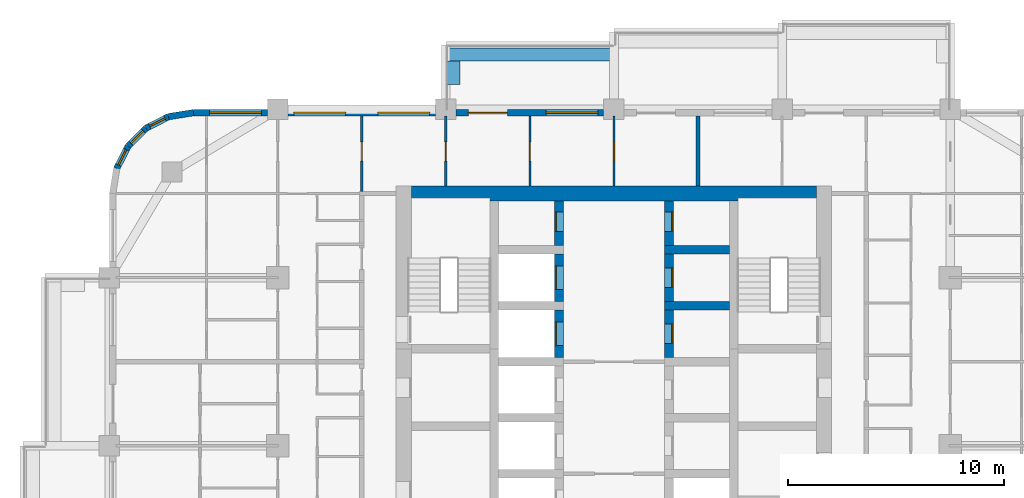
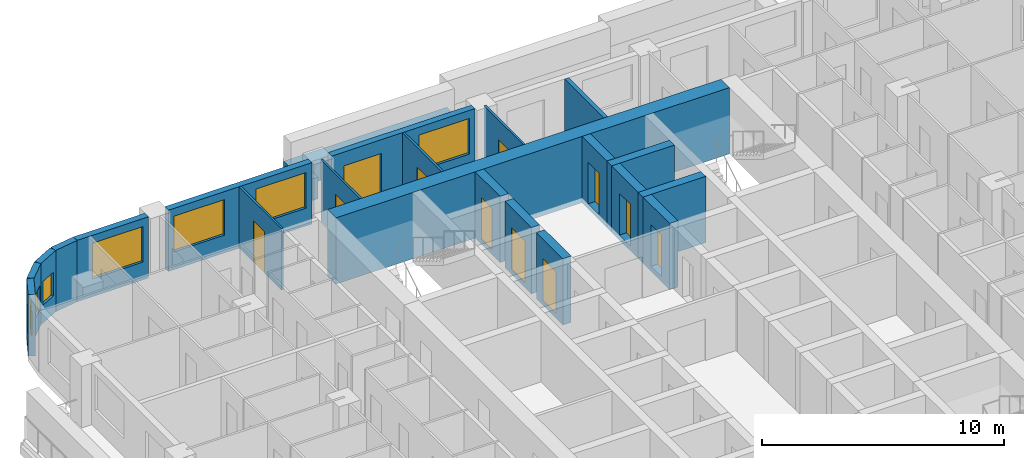
# One storey, part 11 of 17: 23 walls, 11 doors, 7 windows, 18 openings.
"""IFC4 building model written with IfcOpenShell, lengths in metres."""

from ifc_helpers import new_model, si_unit, direction, frame, frame_2d, origin, place, context, subcontext, project, spatial, rectangle, extrude, material, layer, layer_set, type_object, element, fill, save


model = new_model("IFC4")

# Units and contexts
model_context = context("Model", 3, precision=1e-05, world=origin(), true_north=direction((0.0, 1.0)))
body_context = subcontext(model_context, "Body", "Model", "MODEL_VIEW")
ifc_project = project(units=[si_unit("LENGTHUNIT", "METRE"), si_unit("AREAUNIT", "SQUARE_METRE"), si_unit("VOLUMEUNIT", "CUBIC_METRE"), si_unit("PLANEANGLEUNIT", "RADIAN"), si_unit("MASSUNIT", "GRAM", prefix="KILO")], contexts=[model_context])

# Site, building, storey
site_placement = place(None, origin())
site = spatial("IfcSite", under=ifc_project, at=site_placement, CompositionType="ELEMENT")
building_placement = place(site_placement, origin())
building = spatial("IfcBuilding", under=site, at=building_placement, Name="Ludao Terraces", CompositionType="ELEMENT")
storey_placement = place(building_placement, frame((0.0, 0.0, 92.0)))
storey = spatial("IfcBuildingStorey", under=building, at=storey_placement, Name="L25", CompositionType="ELEMENT", Elevation=92.0)

# Walls
ifc_material_1 = material(Name="Concrete C70", Category="concrete")
ifc_layer_1 = layer(ifc_material_1, 0.699951171875)
ifc_layer_set_1 = layer_set([ifc_layer_1], Name="Core wall 700 C70")
wall_type_1 = type_object("IfcWallType", Name="Core wall 700 C70", PredefinedType="SOLIDWALL", material=ifc_layer_set_1)
wall_1_placement = place(storey_placement, frame((75.60009765625, 84.5, -0.25), z_axis=(0.0, 0.0, 1.0), x_axis=(1.0, 0.0, 0.0)))
element("IfcWall", 1, at=wall_1_placement, inside=storey, type_object=wall_type_1, Name="Core wall L25 outer-N", PredefinedType="SOLIDWALL", context=body_context, shape_type="SweptSolid", body=[
    extrude(rectangle(XDim=18.7998046875, YDim=0.699951171875, at=frame_2d((9.39990234375, 0.0))), origin(), (0.0, 0.0, 1.0), 3.35009765625),
])
ifc_material_2 = material(Name="Concrete C40", Category="concrete")
ifc_layer_2 = layer(ifc_material_2, 0.60009765625)
ifc_layer_set_2 = layer_set([ifc_layer_2], Name="ENV Planter trough 600")
wall_type_2 = type_object("IfcWallType", Name="ENV Planter trough 600", PredefinedType="USERDEFINED", material=ifc_layer_set_2)
wall_2_placement = place(storey_placement, frame((77.199951171875, 90.949951171875, 0.0), z_axis=(0.0, 0.0, 1.0), x_axis=(1.0, 0.0, 0.0)))
element("IfcWall", 2, at=wall_2_placement, inside=storey, type_object=wall_type_2, Name="PL-L25-N2", ObjectType="PLANTER", PredefinedType="USERDEFINED", context=body_context, shape_type="SweptSolid", body=[
    extrude(rectangle(XDim=7.800048828125, YDim=0.60009765625, at=frame_2d((3.89990234375, 0.0))), origin(), (0.0, 0.0, 1.0), 1.10009765625),
])
wall_3_placement = place(storey_placement, frame((77.550048828125, 90.64990234375, 0.0), z_axis=(0.0, 0.0, 1.0), x_axis=(0.0, -1.0, 0.0)))
element("IfcWall", 3, at=wall_3_placement, inside=storey, type_object=wall_type_2, Name="PL-L25-N2-SA", ObjectType="PLANTER", PredefinedType="USERDEFINED", context=body_context, shape_type="SweptSolid", body=[
    extrude(rectangle(XDim=1.099853515625, YDim=0.60009765625, at=frame_2d((0.5498046875, 0.0))), origin(), (0.0, 0.0, 1.0), 1.10009765625),
])

# Wall, opening, window
ifc_material_3 = material(Name="Granite cladding", Category="masonry")
ifc_layer_3 = layer(ifc_material_3, 0.0400390625, Category="stone")
ifc_material_4 = material(Name="Mineral wool")
ifc_layer_4 = layer(ifc_material_4, 0.06005859375)
ifc_layer_5 = layer(ifc_material_2, 0.199951171875, Category="concrete")
ifc_layer_set_3 = layer_set([ifc_layer_3, ifc_layer_4, ifc_layer_5], Name="ENV Stone-clad wall 300")
wall_type_3 = type_object("IfcWallType", Name="ENV Stone-clad wall 300", PredefinedType="SOLIDWALL", material=ifc_layer_set_3)
wall_4_placement = place(storey_placement, frame((65.5, 88.25, 0.0), z_axis=(0.0, 0.0, 1.0), x_axis=(1.0, 0.0, 0.0)))
wall_4 = element("IfcWall", 4, at=wall_4_placement, inside=storey, type_object=wall_type_3, Name="EW-L25-N1", PredefinedType="SOLIDWALL", context=body_context, shape_type="SweptSolid", body=[
    extrude(rectangle(XDim=3.425048828125, YDim=0.300048828125, at=frame_2d((1.71240234375, 0.0))), origin(), (0.0, 0.0, 1.0), 3.10009765625),
])
opening_1_placement = place(wall_4_placement, frame((0.75, 0.0, 0.89990234375)))
opening_1 = element("IfcOpeningElement", 5, at=opening_1_placement, cuts=wall_4, Name="Opening W1", PredefinedType="OPENING", context=body_context, shape_type="SweptSolid", body=[
    extrude(rectangle(XDim=2.39990234375, YDim=1.800048828125, at=frame_2d((1.199951171875, 0.89990234375))), frame((0.0, 0.16015625, 0.0), z_axis=(0.0, -1.0, 0.0), x_axis=(1.0, 0.0, 0.0)), (0.0, 0.0, 1.0), 0.320068359375),
])
ifc_material_5 = material(Name="Clear glass in aluminium frame", Category="aluminium")
ifc_layer_6 = layer(ifc_material_5, 0.06005859375)
ifc_layer_set_4 = layer_set([ifc_layer_6], Name="ENV Window W1 2400x1800")
window_type_1 = type_object("IfcWindowType", Name="ENV Window W1 2400x1800", PartitioningType="DOUBLE_PANEL_VERTICAL", PredefinedType="WINDOW", material=ifc_layer_set_4)
window_1_placement = place(opening_1_placement, origin())
window_1 = element("IfcWindow", 6, at=window_1_placement, inside=storey, type_object=window_type_1, Name="W-L25-N1-1", OverallHeight=1.800048828125, OverallWidth=2.39990234375, PartitioningType="DOUBLE_PANEL_VERTICAL", PredefinedType="WINDOW", context=body_context, shape_type="SweptSolid", body=[
    extrude(rectangle(XDim=2.39990234375, YDim=1.800048828125, at=frame_2d((1.199951171875, 0.89990234375))), frame((0.0, 0.030029296875, 0.0), z_axis=(0.0, -1.0, 0.0), x_axis=(1.0, 0.0, 0.0)), (0.0, 0.0, 1.0), 0.06005859375),
])
fill(opening_1, window_1)

# Wall, openings, windows
wall_5_placement = place(storey_placement, frame((69.875, 88.25, 0.0), z_axis=(0.0, 0.0, 1.0), x_axis=(1.0, 0.0, 0.0)))
wall_5 = element("IfcWall", 7, at=wall_5_placement, inside=storey, type_object=wall_type_3, Name="EW-L25-N2", PredefinedType="SOLIDWALL", context=body_context, shape_type="SweptSolid", body=[
    extrude(rectangle(XDim=6.85009765625, YDim=0.300048828125, at=frame_2d((3.425048828125, 0.0))), origin(), (0.0, 0.0, 1.0), 3.10009765625),
])
opening_2_placement = place(wall_5_placement, frame((0.27490234375, 0.0, 0.89990234375)))
opening_2 = element("IfcOpeningElement", 8, at=opening_2_placement, cuts=wall_5, Name="Opening W1", PredefinedType="OPENING", context=body_context, shape_type="SweptSolid", body=[
    extrude(rectangle(XDim=2.39990234375, YDim=1.800048828125, at=frame_2d((1.199951171875, 0.89990234375))), frame((0.0, 0.16015625, 0.0), z_axis=(0.0, -1.0, 0.0), x_axis=(1.0, 0.0, 0.0)), (0.0, 0.0, 1.0), 0.320068359375),
])
opening_3_placement = place(wall_5_placement, frame((4.175048828125, 0.0, 0.89990234375)))
opening_3 = element("IfcOpeningElement", 9, at=opening_3_placement, cuts=wall_5, Name="Opening W1", PredefinedType="OPENING", context=body_context, shape_type="SweptSolid", body=[
    extrude(rectangle(XDim=2.39990234375, YDim=1.800048828125, at=frame_2d((1.199951171875, 0.89990234375))), frame((0.0, 0.16015625, 0.0), z_axis=(0.0, -1.0, 0.0), x_axis=(1.0, 0.0, 0.0)), (0.0, 0.0, 1.0), 0.320068359375),
])
window_2_placement = place(opening_2_placement, origin())
window_2 = element("IfcWindow", 10, at=window_2_placement, inside=storey, type_object=window_type_1, Name="W-L25-N2-1", OverallHeight=1.800048828125, OverallWidth=2.39990234375, PartitioningType="DOUBLE_PANEL_VERTICAL", PredefinedType="WINDOW", context=body_context, shape_type="SweptSolid", body=[
    extrude(rectangle(XDim=2.39990234375, YDim=1.800048828125, at=frame_2d((1.199951171875, 0.89990234375))), frame((0.0, 0.030029296875, 0.0), z_axis=(0.0, -1.0, 0.0), x_axis=(1.0, 0.0, 0.0)), (0.0, 0.0, 1.0), 0.06005859375),
])
fill(opening_2, window_2)
window_3_placement = place(opening_3_placement, origin())
window_3 = element("IfcWindow", 11, at=window_3_placement, inside=storey, type_object=window_type_1, Name="W-L25-N2-2", OverallHeight=1.800048828125, OverallWidth=2.39990234375, PartitioningType="DOUBLE_PANEL_VERTICAL", PredefinedType="WINDOW", context=body_context, shape_type="SweptSolid", body=[
    extrude(rectangle(XDim=2.39990234375, YDim=1.800048828125, at=frame_2d((1.199951171875, 0.89990234375))), frame((0.0, 0.030029296875, 0.0), z_axis=(0.0, -1.0, 0.0), x_axis=(1.0, 0.0, 0.0)), (0.0, 0.0, 1.0), 0.06005859375),
])
fill(opening_3, window_3)

# Wall, openings, door, window
wall_6_placement = place(storey_placement, frame((77.675048828125, 88.25, 0.0), z_axis=(0.0, 0.0, 1.0), x_axis=(1.0, 0.0, 0.0)))
wall_6 = element("IfcWall", 12, at=wall_6_placement, inside=storey, type_object=wall_type_3, Name="EW-L25-N3", PredefinedType="SOLIDWALL", context=body_context, shape_type="SweptSolid", body=[
    extrude(rectangle(XDim=6.849853515625, YDim=0.300048828125, at=frame_2d((3.4248046875, 0.0))), origin(), (0.0, 0.0, 1.0), 3.10009765625),
])
opening_4_placement = place(wall_6_placement, frame((0.574951171875, 0.0, 0.0)))
opening_4 = element("IfcOpeningElement", 13, at=opening_4_placement, cuts=wall_6, Name="Opening BD", PredefinedType="OPENING", context=body_context, shape_type="SweptSolid", body=[
    extrude(rectangle(XDim=1.800048828125, YDim=2.39990234375, at=frame_2d((0.89990234375, 1.199951171875))), frame((0.0, 0.16015625, 0.0), z_axis=(0.0, -1.0, 0.0), x_axis=(1.0, 0.0, 0.0)), (0.0, 0.0, 1.0), 0.320068359375),
])
opening_5_placement = place(wall_6_placement, frame((4.175048828125, 0.0, 0.89990234375)))
opening_5 = element("IfcOpeningElement", 14, at=opening_5_placement, cuts=wall_6, Name="Opening W1", PredefinedType="OPENING", context=body_context, shape_type="SweptSolid", body=[
    extrude(rectangle(XDim=2.39990234375, YDim=1.800048828125, at=frame_2d((1.199951171875, 0.89990234375))), frame((0.0, 0.16015625, 0.0), z_axis=(0.0, -1.0, 0.0), x_axis=(1.0, 0.0, 0.0)), (0.0, 0.0, 1.0), 0.320068359375),
])
ifc_material_6 = material(Name="Aluminium glazed door", Category="aluminium")
ifc_layer_7 = layer(ifc_material_6, 0.06005859375)
ifc_layer_set_5 = layer_set([ifc_layer_7], Name="ENV Balcony door BD 1800x2400")
door_type_1 = type_object("IfcDoorType", Name="ENV Balcony door BD 1800x2400", OperationType="DOUBLE_DOOR_SINGLE_SWING", PredefinedType="DOOR", material=ifc_layer_set_5)
door_1_placement = place(opening_4_placement, origin())
door_1 = element("IfcDoor", 15, at=door_1_placement, inside=storey, type_object=door_type_1, Name="BD-L25-N3-1", OperationType="DOUBLE_DOOR_SINGLE_SWING", OverallHeight=2.39990234375, OverallWidth=1.800048828125, PredefinedType="DOOR", context=body_context, shape_type="SweptSolid", body=[
    extrude(rectangle(XDim=1.800048828125, YDim=2.39990234375, at=frame_2d((0.89990234375, 1.199951171875))), frame((0.0, 0.02490234375, 0.0), z_axis=(0.0, -1.0, 0.0), x_axis=(1.0, 0.0, 0.0)), (0.0, 0.0, 1.0), 0.050048828125),
])
fill(opening_4, door_1)
window_4_placement = place(opening_5_placement, origin())
window_4 = element("IfcWindow", 16, at=window_4_placement, inside=storey, type_object=window_type_1, Name="W-L25-N3-2", OverallHeight=1.800048828125, OverallWidth=2.39990234375, PartitioningType="DOUBLE_PANEL_VERTICAL", PredefinedType="WINDOW", context=body_context, shape_type="SweptSolid", body=[
    extrude(rectangle(XDim=2.39990234375, YDim=1.800048828125, at=frame_2d((1.199951171875, 0.89990234375))), frame((0.0, 0.030029296875, 0.0), z_axis=(0.0, -1.0, 0.0), x_axis=(1.0, 0.0, 0.0)), (0.0, 0.0, 1.0), 0.06005859375),
])
fill(opening_5, window_4)

# Wall
wall_7_placement = place(storey_placement, frame((65.5, 88.25, 0.0), z_axis=(0.0, 0.0, 1.0), x_axis=(-0.987678452879, -0.156496880861, 0.0)))
element("IfcWall", 17, at=wall_7_placement, inside=storey, type_object=wall_type_3, Name="EW-L25-NW1", PredefinedType="SOLIDWALL", context=body_context, shape_type="SweptSolid", body=[
    extrude(rectangle(XDim=1.173095703125, YDim=0.300048828125, at=frame_2d((0.58642578125, 0.0))), origin(), (0.0, 0.0, 1.0), 3.10009765625),
])

# Wall, opening, window
wall_8_placement = place(storey_placement, frame((64.34130859375, 88.06640625, 0.0), z_axis=(0.0, 0.0, 1.0), x_axis=(-0.890988677504, -0.454025524128, 0.0)))
wall_8 = element("IfcWall", 18, at=wall_8_placement, inside=storey, type_object=wall_type_3, Name="EW-L25-NW2", PredefinedType="SOLIDWALL", context=body_context, shape_type="SweptSolid", body=[
    extrude(rectangle(XDim=1.17333984375, YDim=0.300048828125, at=frame_2d((0.586669921875, 0.0))), origin(), (0.0, 0.0, 1.0), 3.10009765625),
])
opening_6_placement = place(wall_8_placement, frame((0.1865234375, 0.0, 0.89990234375)))
opening_6 = element("IfcOpeningElement", 19, at=opening_6_placement, cuts=wall_8, Name="Opening W3", PredefinedType="OPENING", context=body_context, shape_type="SweptSolid", body=[
    extrude(rectangle(XDim=0.800048828125, YDim=1.199951171875, at=frame_2d((0.39990234375, 0.60009765625))), frame((0.0, 0.16015625, 0.0), z_axis=(0.0, -1.0, 0.0), x_axis=(1.0, 0.0, 0.0)), (0.0, 0.0, 1.0), 0.320068359375),
])
ifc_layer_8 = layer(ifc_material_5, 0.06005859375)
ifc_layer_set_6 = layer_set([ifc_layer_8], Name="ENV Window W3 800x1200")
window_type_2 = type_object("IfcWindowType", Name="ENV Window W3 800x1200", PartitioningType="SINGLE_PANEL", PredefinedType="WINDOW", material=ifc_layer_set_6)
window_5_placement = place(opening_6_placement, origin())
window_5 = element("IfcWindow", 20, at=window_5_placement, inside=storey, type_object=window_type_2, Name="W-L25-NW2", OverallHeight=1.199951171875, OverallWidth=0.800048828125, PartitioningType="SINGLE_PANEL", PredefinedType="WINDOW", context=body_context, shape_type="SweptSolid", body=[
    extrude(rectangle(XDim=0.800048828125, YDim=1.199951171875, at=frame_2d((0.39990234375, 0.60009765625))), frame((0.0, 0.030029296875, 0.0), z_axis=(0.0, -1.0, 0.0), x_axis=(1.0, 0.0, 0.0)), (0.0, 0.0, 1.0), 0.06005859375),
])
fill(opening_6, window_5)

wall_9_placement = place(storey_placement, frame((63.2958984375, 87.53369140625, 0.0), z_axis=(0.0, 0.0, 1.0), x_axis=(-0.707106781187, -0.707106781187, 0.0)))
wall_9 = element("IfcWall", 21, at=wall_9_placement, inside=storey, type_object=wall_type_3, Name="EW-L25-NW3", PredefinedType="SOLIDWALL", context=body_context, shape_type="SweptSolid", body=[
    extrude(rectangle(XDim=1.173095703125, YDim=0.300048828125, at=frame_2d((0.58642578125, 0.0))), origin(), (0.0, 0.0, 1.0), 3.10009765625),
])
opening_7_placement = place(wall_9_placement, frame((0.1865234375, 0.0, 0.89990234375)))
opening_7 = element("IfcOpeningElement", 22, at=opening_7_placement, cuts=wall_9, Name="Opening W3", PredefinedType="OPENING", context=body_context, shape_type="SweptSolid", body=[
    extrude(rectangle(XDim=0.800048828125, YDim=1.199951171875, at=frame_2d((0.39990234375, 0.60009765625))), frame((0.0, 0.16015625, 0.0), z_axis=(0.0, -1.0, 0.0), x_axis=(1.0, 0.0, 0.0)), (0.0, 0.0, 1.0), 0.320068359375),
])
window_6_placement = place(opening_7_placement, origin())
window_6 = element("IfcWindow", 23, at=window_6_placement, inside=storey, type_object=window_type_2, Name="W-L25-NW3", OverallHeight=1.199951171875, OverallWidth=0.800048828125, PartitioningType="SINGLE_PANEL", PredefinedType="WINDOW", context=body_context, shape_type="SweptSolid", body=[
    extrude(rectangle(XDim=0.800048828125, YDim=1.199951171875, at=frame_2d((0.39990234375, 0.60009765625))), frame((0.0, 0.030029296875, 0.0), z_axis=(0.0, -1.0, 0.0), x_axis=(1.0, 0.0, 0.0)), (0.0, 0.0, 1.0), 0.06005859375),
])
fill(opening_7, window_6)

wall_10_placement = place(storey_placement, frame((62.46630859375, 86.7041015625, 0.0), z_axis=(0.0, 0.0, 1.0), x_axis=(-0.454025524128, -0.890988677504, 0.0)))
wall_10 = element("IfcWall", 24, at=wall_10_placement, inside=storey, type_object=wall_type_3, Name="EW-L25-NW4", PredefinedType="SOLIDWALL", context=body_context, shape_type="SweptSolid", body=[
    extrude(rectangle(XDim=1.17333984375, YDim=0.300048828125, at=frame_2d((0.586669921875, 0.0))), origin(), (0.0, 0.0, 1.0), 3.10009765625),
])
opening_8_placement = place(wall_10_placement, frame((0.1865234375, 0.0, 0.89990234375)))
opening_8 = element("IfcOpeningElement", 25, at=opening_8_placement, cuts=wall_10, Name="Opening W3", PredefinedType="OPENING", context=body_context, shape_type="SweptSolid", body=[
    extrude(rectangle(XDim=0.800048828125, YDim=1.199951171875, at=frame_2d((0.39990234375, 0.60009765625))), frame((0.0, 0.16015625, 0.0), z_axis=(0.0, -1.0, 0.0), x_axis=(1.0, 0.0, 0.0)), (0.0, 0.0, 1.0), 0.320068359375),
])
window_7_placement = place(opening_8_placement, origin())
window_7 = element("IfcWindow", 26, at=window_7_placement, inside=storey, type_object=window_type_2, Name="W-L25-NW4", OverallHeight=1.199951171875, OverallWidth=0.800048828125, PartitioningType="SINGLE_PANEL", PredefinedType="WINDOW", context=body_context, shape_type="SweptSolid", body=[
    extrude(rectangle(XDim=0.800048828125, YDim=1.199951171875, at=frame_2d((0.39990234375, 0.60009765625))), frame((0.0, 0.030029296875, 0.0), z_axis=(0.0, -1.0, 0.0), x_axis=(1.0, 0.0, 0.0)), (0.0, 0.0, 1.0), 0.06005859375),
])
fill(opening_8, window_7)

# Wall, opening, door
ifc_material_7 = material(Name="Gypsum plasterboard", Category="gypsum")
ifc_layer_9 = layer(ifc_material_7, 0.012451171875, Category="gypsum")
ifc_layer_10 = layer(ifc_material_4, 0.06005859375, Name="insulation")
ifc_material_8 = material(Name="Steel Q235", Category="steel")
ifc_layer_11 = layer(ifc_material_8, 0.014892578125, Name="stud")
ifc_layer_12 = layer(ifc_material_7, 0.012451171875, Category="gypsum")
ifc_layer_set_7 = layer_set([ifc_layer_9, ifc_layer_10, ifc_layer_11, ifc_layer_12], Name="INT Partition 100")
wall_type_4 = type_object("IfcWallType", Name="INT Partition 100", PredefinedType="PARTITIONING", material=ifc_layer_set_7)
wall_11_placement = place(storey_placement, frame((73.300048828125, 84.60009765625, 0.0), z_axis=(0.0, 0.0, 1.0), x_axis=(0.0, 1.0, 0.0)))
wall_11 = element("IfcWall", 27, at=wall_11_placement, inside=storey, type_object=wall_type_4, Name="PW-L25-PW089", PredefinedType="PARTITIONING", context=body_context, shape_type="SweptSolid", body=[
    extrude(rectangle(XDim=3.5, YDim=0.10009765625, at=frame_2d((1.75, 0.0))), origin(), (0.0, 0.0, 1.0), 3.10009765625),
])
opening_9_placement = place(wall_11_placement, frame((1.39990234375, 0.0, 0.0)))
opening_9 = element("IfcOpeningElement", 28, at=opening_9_placement, cuts=wall_11, Name="Opening R07-157", PredefinedType="OPENING", context=body_context, shape_type="SweptSolid", body=[
    extrude(rectangle(XDim=0.89990234375, YDim=2.10009765625, at=frame_2d((0.449951171875, 1.050048828125))), frame((0.0, 0.06005859375, 0.0), z_axis=(0.0, -1.0, 0.0), x_axis=(1.0, 0.0, 0.0)), (0.0, 0.0, 1.0), 0.1201171875),
])
ifc_material_9 = material(Name="Timber door leaf", Category="wood")
door_type_2 = type_object("IfcDoorType", Name="INT Room door 900", OperationType="SINGLE_SWING_LEFT", PredefinedType="DOOR", material=ifc_material_9)
door_2_placement = place(opening_9_placement, origin())
door_2 = element("IfcDoor", 29, at=door_2_placement, inside=storey, type_object=door_type_2, Name="DOOR 157", OperationType="SINGLE_SWING_LEFT", OverallHeight=2.10009765625, OverallWidth=0.89990234375, PredefinedType="DOOR", context=body_context, shape_type="SweptSolid", body=[
    extrude(rectangle(XDim=0.89990234375, YDim=2.10009765625, at=frame_2d((0.449951171875, 1.050048828125))), frame((0.0, 0.02490234375, 0.0), z_axis=(0.0, -1.0, 0.0), x_axis=(1.0, 0.0, 0.0)), (0.0, 0.0, 1.0), 0.050048828125),
])
fill(opening_9, door_2)

wall_12_placement = place(storey_placement, frame((77.199951171875, 84.85009765625, 0.0), z_axis=(0.0, 0.0, 1.0), x_axis=(0.0, 1.0, 0.0)))
wall_12 = element("IfcWall", 30, at=wall_12_placement, inside=storey, type_object=wall_type_4, Name="PW-L25-PW092", PredefinedType="PARTITIONING", context=body_context, shape_type="SweptSolid", body=[
    extrude(rectangle(XDim=3.25, YDim=0.10009765625, at=frame_2d((1.625, 0.0))), origin(), (0.0, 0.0, 1.0), 3.10009765625),
])
opening_10_placement = place(wall_12_placement, frame((1.14990234375, 0.0, 0.0)))
opening_10 = element("IfcOpeningElement", 31, at=opening_10_placement, cuts=wall_12, Name="Opening R07-158", PredefinedType="OPENING", context=body_context, shape_type="SweptSolid", body=[
    extrude(rectangle(XDim=0.89990234375, YDim=2.10009765625, at=frame_2d((0.449951171875, 1.050048828125))), frame((0.0, 0.06005859375, 0.0), z_axis=(0.0, -1.0, 0.0), x_axis=(1.0, 0.0, 0.0)), (0.0, 0.0, 1.0), 0.1201171875),
])
door_3_placement = place(opening_10_placement, origin())
door_3 = element("IfcDoor", 32, at=door_3_placement, inside=storey, type_object=door_type_2, Name="DOOR 158", OperationType="SINGLE_SWING_RIGHT", OverallHeight=2.10009765625, OverallWidth=0.89990234375, PredefinedType="DOOR", context=body_context, shape_type="SweptSolid", body=[
    extrude(rectangle(XDim=0.89990234375, YDim=2.10009765625, at=frame_2d((0.449951171875, 1.050048828125))), frame((0.0, 0.02490234375, 0.0), z_axis=(0.0, -1.0, 0.0), x_axis=(1.0, 0.0, 0.0)), (0.0, 0.0, 1.0), 0.050048828125),
])
fill(opening_10, door_3)

wall_13_placement = place(storey_placement, frame((81.10009765625, 84.85009765625, 0.0), z_axis=(0.0, 0.0, 1.0), x_axis=(0.0, 1.0, 0.0)))
wall_13 = element("IfcWall", 33, at=wall_13_placement, inside=storey, type_object=wall_type_4, Name="PW-L25-PW098", PredefinedType="PARTITIONING", context=body_context, shape_type="SweptSolid", body=[
    extrude(rectangle(XDim=3.25, YDim=0.10009765625, at=frame_2d((1.625, 0.0))), origin(), (0.0, 0.0, 1.0), 3.10009765625),
])
opening_11_placement = place(wall_13_placement, frame((1.14990234375, 0.0, 0.0)))
opening_11 = element("IfcOpeningElement", 34, at=opening_11_placement, cuts=wall_13, Name="Opening R07-159", PredefinedType="OPENING", context=body_context, shape_type="SweptSolid", body=[
    extrude(rectangle(XDim=0.89990234375, YDim=2.10009765625, at=frame_2d((0.449951171875, 1.050048828125))), frame((0.0, 0.06005859375, 0.0), z_axis=(0.0, -1.0, 0.0), x_axis=(1.0, 0.0, 0.0)), (0.0, 0.0, 1.0), 0.1201171875),
])
door_4_placement = place(opening_11_placement, origin())
door_4 = element("IfcDoor", 35, at=door_4_placement, inside=storey, type_object=door_type_2, Name="DOOR 159", OperationType="SINGLE_SWING_LEFT", OverallHeight=2.10009765625, OverallWidth=0.89990234375, PredefinedType="DOOR", context=body_context, shape_type="SweptSolid", body=[
    extrude(rectangle(XDim=0.89990234375, YDim=2.10009765625, at=frame_2d((0.449951171875, 1.050048828125))), frame((0.0, 0.02490234375, 0.0), z_axis=(0.0, -1.0, 0.0), x_axis=(1.0, 0.0, 0.0)), (0.0, 0.0, 1.0), 0.050048828125),
])
fill(opening_11, door_4)

wall_14_placement = place(storey_placement, frame((85.0, 84.85009765625, 0.0), z_axis=(0.0, 0.0, 1.0), x_axis=(0.0, 1.0, 0.0)))
wall_14 = element("IfcWall", 36, at=wall_14_placement, inside=storey, type_object=wall_type_4, Name="PW-L25-PW102", PredefinedType="PARTITIONING", context=body_context, shape_type="SweptSolid", body=[
    extrude(rectangle(XDim=3.25, YDim=0.10009765625, at=frame_2d((1.625, 0.0))), origin(), (0.0, 0.0, 1.0), 3.10009765625),
])
opening_12_placement = place(wall_14_placement, frame((1.14990234375, 0.0, 0.0)))
opening_12 = element("IfcOpeningElement", 37, at=opening_12_placement, cuts=wall_14, Name="Opening R07-160", PredefinedType="OPENING", context=body_context, shape_type="SweptSolid", body=[
    extrude(rectangle(XDim=0.89990234375, YDim=2.10009765625, at=frame_2d((0.449951171875, 1.050048828125))), frame((0.0, 0.06005859375, 0.0), z_axis=(0.0, -1.0, 0.0), x_axis=(1.0, 0.0, 0.0)), (0.0, 0.0, 1.0), 0.1201171875),
])
door_5_placement = place(opening_12_placement, origin())
door_5 = element("IfcDoor", 38, at=door_5_placement, inside=storey, type_object=door_type_2, Name="DOOR 160", OperationType="SINGLE_SWING_RIGHT", OverallHeight=2.10009765625, OverallWidth=0.89990234375, PredefinedType="DOOR", context=body_context, shape_type="SweptSolid", body=[
    extrude(rectangle(XDim=0.89990234375, YDim=2.10009765625, at=frame_2d((0.449951171875, 1.050048828125))), frame((0.0, 0.02490234375, 0.0), z_axis=(0.0, -1.0, 0.0), x_axis=(1.0, 0.0, 0.0)), (0.0, 0.0, 1.0), 0.050048828125),
])
fill(opening_12, door_5)

# Wall
ifc_material_10 = material(Name="Autoclaved aerated concrete block B06 A3.5", Category="concrete")
ifc_layer_13 = layer(ifc_material_10, 0.199951171875)
ifc_layer_set_8 = layer_set([ifc_layer_13], Name="INT Party wall 200")
wall_type_5 = type_object("IfcWallType", Name="INT Party wall 200", PredefinedType="PARTITIONING", material=ifc_layer_set_8)
wall_15_placement = place(storey_placement, frame((88.89990234375, 84.85009765625, 0.0), z_axis=(0.0, 0.0, 1.0), x_axis=(0.0, 1.0, 0.0)))
element("IfcWall", 39, at=wall_15_placement, inside=storey, type_object=wall_type_5, Name="PW-L25-PW107", PredefinedType="PARTITIONING", context=body_context, shape_type="SweptSolid", body=[
    extrude(rectangle(XDim=3.25, YDim=0.199951171875, at=frame_2d((1.625, 0.0))), origin(), (0.0, 0.0, 1.0), 3.10009765625),
])

# Wall, opening, door
ifc_material_11 = material(Name="Concrete C60", Category="concrete")
ifc_layer_14 = layer(ifc_material_11, 0.39990234375)
ifc_layer_set_9 = layer_set([ifc_layer_14], Name="Shaft wall 400 C60")
wall_type_6 = type_object("IfcWallType", Name="Shaft wall 400 C60", PredefinedType="SOLIDWALL", material=ifc_layer_set_9)
wall_16_placement = place(storey_placement, frame((82.449951171875, 76.89990234375, -0.25), z_axis=(0.0, 0.0, 1.0), x_axis=(0.0, 1.0, 0.0)))
wall_16 = element("IfcWall", 40, at=wall_16_placement, inside=storey, type_object=wall_type_6, Name="Core wall L25 front-W7", PredefinedType="SOLIDWALL", context=body_context, shape_type="SweptSolid", body=[
    extrude(rectangle(XDim=2.2001953125, YDim=0.39990234375, at=frame_2d((1.10009765625, 0.0))), origin(), (0.0, 0.0, 1.0), 3.35009765625),
])
opening_13_placement = place(wall_16_placement, frame((0.550048828125, 0.0, 0.25)))
opening_13 = element("IfcOpeningElement", 41, at=opening_13_placement, cuts=wall_16, Name="Opening LD-FF1", PredefinedType="OPENING", context=body_context, shape_type="SweptSolid", body=[
    extrude(rectangle(XDim=1.10009765625, YDim=2.10009765625, at=frame_2d((0.550048828125, 1.050048828125))), frame((0.0, 0.2099609375, 0.0), z_axis=(0.0, -1.0, 0.0), x_axis=(1.0, 0.0, 0.0)), (0.0, 0.0, 1.0), 0.419921875),
])
ifc_material_12 = material(Name="Stainless steel 304", Category="steel")
door_type_3 = type_object("IfcDoorType", Name="INT Lift landing door 1100", OperationType="SLIDING_TO_LEFT", PredefinedType="DOOR", material=ifc_material_12)
door_6_placement = place(opening_13_placement, origin())
door_6 = element("IfcDoor", 42, at=door_6_placement, inside=storey, type_object=door_type_3, Name="LANDING DOOR FF1 L25", OperationType="SLIDING_TO_LEFT", OverallHeight=2.10009765625, OverallWidth=1.10009765625, PredefinedType="DOOR", context=body_context, shape_type="SweptSolid", body=[
    extrude(rectangle(XDim=1.10009765625, YDim=2.10009765625, at=frame_2d((0.550048828125, 1.050048828125))), frame((0.0, 0.18505859375, 0.0), z_axis=(0.0, -1.0, 0.0), x_axis=(1.0, 0.0, 0.0)), (0.0, 0.0, 1.0), 0.050048828125),
])
fill(opening_13, door_6)

wall_17_placement = place(storey_placement, frame((82.449951171875, 79.5, -0.25), z_axis=(0.0, 0.0, 1.0), x_axis=(0.0, 1.0, 0.0)))
wall_17 = element("IfcWall", 43, at=wall_17_placement, inside=storey, type_object=wall_type_6, Name="Core wall L25 front-W8", PredefinedType="SOLIDWALL", context=body_context, shape_type="SweptSolid", body=[
    extrude(rectangle(XDim=2.199951171875, YDim=0.39990234375, at=frame_2d((1.10009765625, 0.0))), origin(), (0.0, 0.0, 1.0), 3.35009765625),
])
opening_14_placement = place(wall_17_placement, frame((0.550048828125, 0.0, 0.25)))
opening_14 = element("IfcOpeningElement", 44, at=opening_14_placement, cuts=wall_17, Name="Opening LD-FF2", PredefinedType="OPENING", context=body_context, shape_type="SweptSolid", body=[
    extrude(rectangle(XDim=1.10009765625, YDim=2.10009765625, at=frame_2d((0.550048828125, 1.050048828125))), frame((0.0, 0.2099609375, 0.0), z_axis=(0.0, -1.0, 0.0), x_axis=(1.0, 0.0, 0.0)), (0.0, 0.0, 1.0), 0.419921875),
])
door_7_placement = place(opening_14_placement, origin())
door_7 = element("IfcDoor", 45, at=door_7_placement, inside=storey, type_object=door_type_3, Name="LANDING DOOR FF2 L25", OperationType="SLIDING_TO_LEFT", OverallHeight=2.10009765625, OverallWidth=1.10009765625, PredefinedType="DOOR", context=body_context, shape_type="SweptSolid", body=[
    extrude(rectangle(XDim=1.10009765625, YDim=2.10009765625, at=frame_2d((0.550048828125, 1.050048828125))), frame((0.0, 0.18505859375, 0.0), z_axis=(0.0, -1.0, 0.0), x_axis=(1.0, 0.0, 0.0)), (0.0, 0.0, 1.0), 0.050048828125),
])
fill(opening_14, door_7)

wall_18_placement = place(storey_placement, frame((82.449951171875, 82.10009765625, -0.25), z_axis=(0.0, 0.0, 1.0), x_axis=(0.0, 1.0, 0.0)))
wall_18 = element("IfcWall", 46, at=wall_18_placement, inside=storey, type_object=wall_type_6, Name="Core wall L25 front-W9", PredefinedType="SOLIDWALL", context=body_context, shape_type="SweptSolid", body=[
    extrude(rectangle(XDim=2.0498046875, YDim=0.39990234375, at=frame_2d((1.02490234375, 0.0))), origin(), (0.0, 0.0, 1.0), 3.35009765625),
])
opening_15_placement = place(wall_18_placement, frame((0.64990234375, 0.0, 0.25)))
opening_15 = element("IfcOpeningElement", 47, at=opening_15_placement, cuts=wall_18, Name="Opening R07-147", PredefinedType="OPENING", context=body_context, shape_type="SweptSolid", body=[
    extrude(rectangle(XDim=0.89990234375, YDim=2.10009765625, at=frame_2d((0.449951171875, 1.050048828125))), frame((0.0, 0.2099609375, 0.0), z_axis=(0.0, -1.0, 0.0), x_axis=(1.0, 0.0, 0.0)), (0.0, 0.0, 1.0), 0.419921875),
])
door_8_placement = place(opening_15_placement, origin())
door_8 = element("IfcDoor", 48, at=door_8_placement, inside=storey, type_object=door_type_2, Name="DOOR 147", OperationType="SINGLE_SWING_RIGHT", OverallHeight=2.10009765625, OverallWidth=0.89990234375, PredefinedType="DOOR", context=body_context, shape_type="SweptSolid", body=[
    extrude(rectangle(XDim=0.89990234375, YDim=2.10009765625, at=frame_2d((0.449951171875, 1.050048828125))), frame((0.0, 0.18505859375, 0.0), z_axis=(0.0, -1.0, 0.0), x_axis=(1.0, 0.0, 0.0)), (0.0, 0.0, 1.0), 0.050048828125),
])
fill(opening_15, door_8)

wall_19_placement = place(storey_placement, frame((87.550048828125, 76.89990234375, -0.25), z_axis=(0.0, 0.0, 1.0), x_axis=(0.0, 1.0, 0.0)))
wall_19 = element("IfcWall", 49, at=wall_19_placement, inside=storey, type_object=wall_type_6, Name="Core wall L25 front-E7", PredefinedType="SOLIDWALL", context=body_context, shape_type="SweptSolid", body=[
    extrude(rectangle(XDim=2.2001953125, YDim=0.39990234375, at=frame_2d((1.10009765625, 0.0))), origin(), (0.0, 0.0, 1.0), 3.35009765625),
])
opening_16_placement = place(wall_19_placement, frame((0.64990234375, 0.0, 0.25)))
opening_16 = element("IfcOpeningElement", 50, at=opening_16_placement, cuts=wall_19, Name="Opening R07-130", PredefinedType="OPENING", context=body_context, shape_type="SweptSolid", body=[
    extrude(rectangle(XDim=0.89990234375, YDim=2.10009765625, at=frame_2d((0.449951171875, 1.050048828125))), frame((0.0, 0.2099609375, 0.0), z_axis=(0.0, -1.0, 0.0), x_axis=(1.0, 0.0, 0.0)), (0.0, 0.0, 1.0), 0.419921875),
])
door_9_placement = place(opening_16_placement, origin())
door_9 = element("IfcDoor", 51, at=door_9_placement, inside=storey, type_object=door_type_2, Name="DOOR 130", OperationType="SINGLE_SWING_RIGHT", OverallHeight=2.10009765625, OverallWidth=0.89990234375, PredefinedType="DOOR", context=body_context, shape_type="SweptSolid", body=[
    extrude(rectangle(XDim=0.89990234375, YDim=2.10009765625, at=frame_2d((0.449951171875, 1.050048828125))), frame((0.0, -0.134765625, 0.0), z_axis=(0.0, -1.0, 0.0), x_axis=(1.0, 0.0, 0.0)), (0.0, 0.0, 1.0), 0.050048828125),
])
fill(opening_16, door_9)

# Wall
wall_20_placement = place(storey_placement, frame((87.35009765625, 79.300048828125, -0.25), z_axis=(0.0, 0.0, 1.0), x_axis=(1.0, 0.0, 0.0)))
element("IfcWall", 52, at=wall_20_placement, inside=storey, type_object=wall_type_6, Name="Core wall L25 div-E8", PredefinedType="SOLIDWALL", context=body_context, shape_type="SweptSolid", body=[
    extrude(rectangle(XDim=3.0, YDim=0.39990234375, at=frame_2d((1.5, 0.0))), origin(), (0.0, 0.0, 1.0), 3.35009765625),
])

# Wall, opening, door
wall_21_placement = place(storey_placement, frame((87.550048828125, 79.5, -0.25), z_axis=(0.0, 0.0, 1.0), x_axis=(0.0, 1.0, 0.0)))
wall_21 = element("IfcWall", 53, at=wall_21_placement, inside=storey, type_object=wall_type_6, Name="Core wall L25 front-E8", PredefinedType="SOLIDWALL", context=body_context, shape_type="SweptSolid", body=[
    extrude(rectangle(XDim=2.199951171875, YDim=0.39990234375, at=frame_2d((1.10009765625, 0.0))), origin(), (0.0, 0.0, 1.0), 3.35009765625),
])
opening_17_placement = place(wall_21_placement, frame((0.64990234375, 0.0, 0.25)))
opening_17 = element("IfcOpeningElement", 54, at=opening_17_placement, cuts=wall_21, Name="Opening R07-140", PredefinedType="OPENING", context=body_context, shape_type="SweptSolid", body=[
    extrude(rectangle(XDim=0.89990234375, YDim=2.10009765625, at=frame_2d((0.449951171875, 1.050048828125))), frame((0.0, 0.2099609375, 0.0), z_axis=(0.0, -1.0, 0.0), x_axis=(1.0, 0.0, 0.0)), (0.0, 0.0, 1.0), 0.419921875),
])
door_10_placement = place(opening_17_placement, origin())
door_10 = element("IfcDoor", 55, at=door_10_placement, inside=storey, type_object=door_type_2, Name="DOOR 140", OperationType="SINGLE_SWING_LEFT", OverallHeight=2.10009765625, OverallWidth=0.89990234375, PredefinedType="DOOR", context=body_context, shape_type="SweptSolid", body=[
    extrude(rectangle(XDim=0.89990234375, YDim=2.10009765625, at=frame_2d((0.449951171875, 1.050048828125))), frame((0.0, -0.134765625, 0.0), z_axis=(0.0, -1.0, 0.0), x_axis=(1.0, 0.0, 0.0)), (0.0, 0.0, 1.0), 0.050048828125),
])
fill(opening_17, door_10)

# Wall
wall_22_placement = place(storey_placement, frame((87.35009765625, 81.89990234375, -0.25), z_axis=(0.0, 0.0, 1.0), x_axis=(1.0, 0.0, 0.0)))
element("IfcWall", 56, at=wall_22_placement, inside=storey, type_object=wall_type_6, Name="Core wall L25 div-E9", PredefinedType="SOLIDWALL", context=body_context, shape_type="SweptSolid", body=[
    extrude(rectangle(XDim=3.0, YDim=0.39990234375, at=frame_2d((1.5, 0.0))), origin(), (0.0, 0.0, 1.0), 3.35009765625),
])

# Wall, opening, door
wall_23_placement = place(storey_placement, frame((87.550048828125, 82.10009765625, -0.25), z_axis=(0.0, 0.0, 1.0), x_axis=(0.0, 1.0, 0.0)))
wall_23 = element("IfcWall", 57, at=wall_23_placement, inside=storey, type_object=wall_type_6, Name="Core wall L25 front-E9", PredefinedType="SOLIDWALL", context=body_context, shape_type="SweptSolid", body=[
    extrude(rectangle(XDim=2.0498046875, YDim=0.39990234375, at=frame_2d((1.02490234375, 0.0))), origin(), (0.0, 0.0, 1.0), 3.35009765625),
])
opening_18_placement = place(wall_23_placement, frame((0.64990234375, 0.0, 0.25)))
opening_18 = element("IfcOpeningElement", 58, at=opening_18_placement, cuts=wall_23, Name="Opening R07-148", PredefinedType="OPENING", context=body_context, shape_type="SweptSolid", body=[
    extrude(rectangle(XDim=0.89990234375, YDim=2.10009765625, at=frame_2d((0.449951171875, 1.050048828125))), frame((0.0, 0.2099609375, 0.0), z_axis=(0.0, -1.0, 0.0), x_axis=(1.0, 0.0, 0.0)), (0.0, 0.0, 1.0), 0.419921875),
])
door_11_placement = place(opening_18_placement, origin())
door_11 = element("IfcDoor", 59, at=door_11_placement, inside=storey, type_object=door_type_2, Name="DOOR 148", OperationType="SINGLE_SWING_LEFT", OverallHeight=2.10009765625, OverallWidth=0.89990234375, PredefinedType="DOOR", context=body_context, shape_type="SweptSolid", body=[
    extrude(rectangle(XDim=0.89990234375, YDim=2.10009765625, at=frame_2d((0.449951171875, 1.050048828125))), frame((0.0, -0.134765625, 0.0), z_axis=(0.0, -1.0, 0.0), x_axis=(1.0, 0.0, 0.0)), (0.0, 0.0, 1.0), 0.050048828125),
])
fill(opening_18, door_11)

save(model, "model.ifc")
